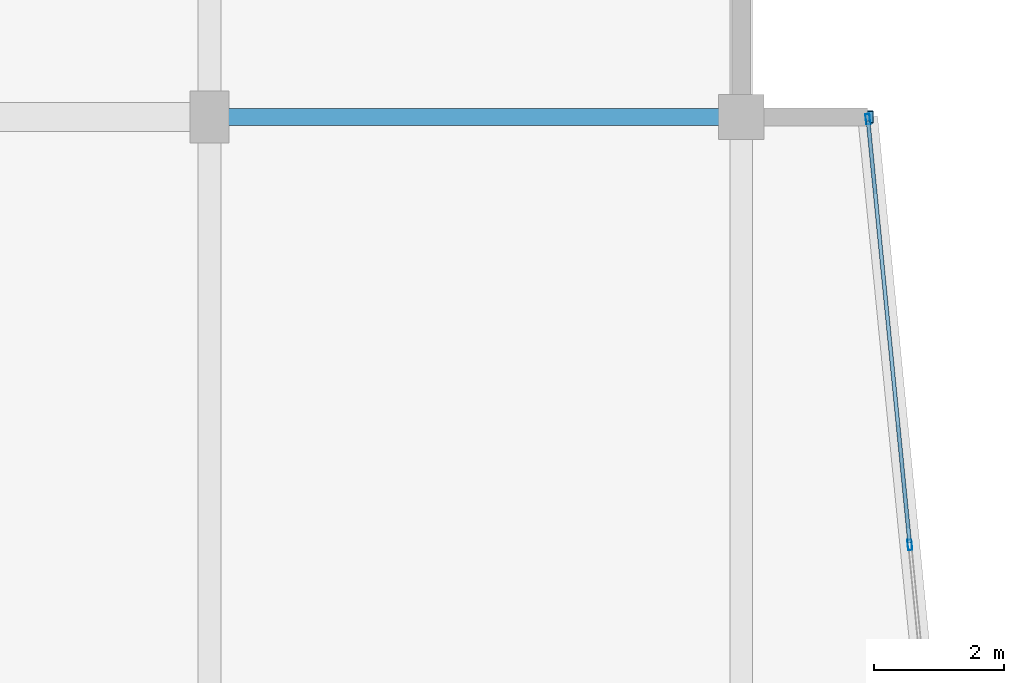
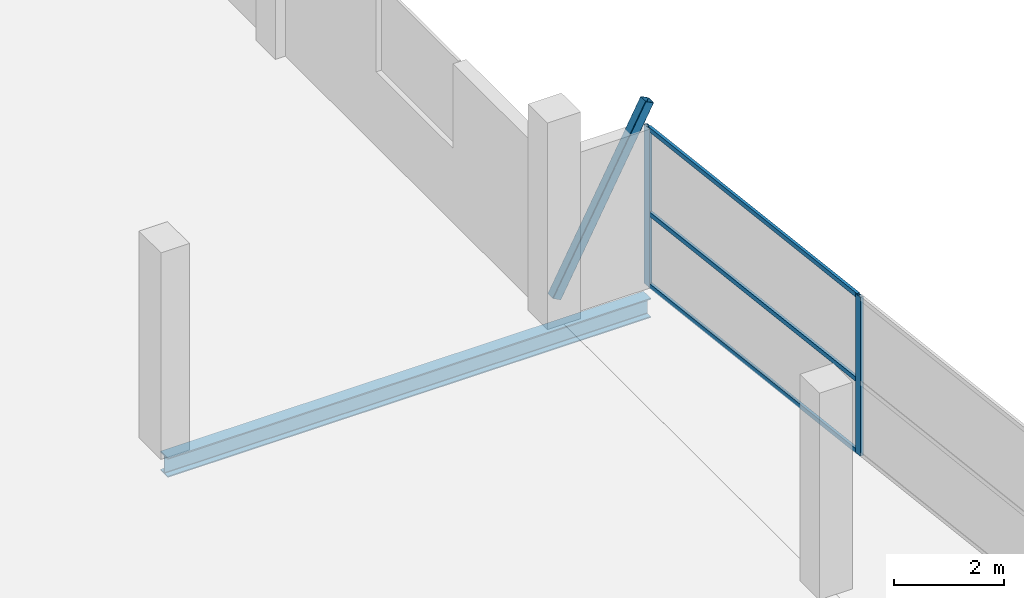
# One storey, part 29 of 55: 6 members, 1 beam, 1 element without a shape of its own.
"""IFC4 building model written with IfcOpenShell, lengths in metres."""

import ifcopenshell
import ifcopenshell.guid

model = None  # the IFC model being written
_history = None  # IfcOwnerHistory: only IFC2X3 demands one
_inside = {}  # id of a spatial element -> (the spatial element, [elements in it])
_under = {}  # id of a project, library or spatial element -> (it, [spatial elements below it])
_declared = {}  # id of a project -> (the project, [libraries it declares])
_typed = {}  # id of a type object -> (the type object, [elements of that type])
_made_of = {}  # id of a material, layer set ... -> (it, [elements and type objects made of it])


def new_model(schema):
    """Start an empty IFC model of exactly this schema.

    Asked for "IFC4X3", IfcOpenShell would pick the latest addendum, in which some entities
    have other attributes; the version numbers below select the first issue.
    IFC2X3 requires an IfcOwnerHistory on every rooted entity: one is made here for all.
    """
    global model, _history
    if schema == "IFC4X3":
        model = ifcopenshell.file(schema_version=(4, 3, 0, 0))
    else:
        model = ifcopenshell.file(schema=schema)
    _inside.clear()
    _under.clear()
    _declared.clear()
    _typed.clear()
    _made_of.clear()
    _history = None
    if model.schema == "IFC2X3":
        org = make("IfcOrganization", Name="unknown")
        user = make(
            "IfcPersonAndOrganization",
            ThePerson=make("IfcPerson", FamilyName="unknown"),
            TheOrganization=org,
        )
        app = make(
            "IfcApplication",
            ApplicationDeveloper=org,
            Version="unknown",
            ApplicationFullName="unknown",
            ApplicationIdentifier="unknown",
        )
        _history = make(
            "IfcOwnerHistory",
            OwningUser=user,
            OwningApplication=app,
            ChangeAction="ADDED",
            CreationDate=0,
        )
    return model


def make(cls, **values):
    """One entity of the class cls with the attributes given. An attribute that is None is left unset."""
    return model.create_entity(
        cls, **{name: value for name, value in values.items() if value is not None}
    )


def rooted(cls, **values):
    """An entity with a GlobalId (a new one), such as an element, a storey or a relation."""
    return make(cls, GlobalId=ifcopenshell.guid.new(), OwnerHistory=_history, **values)


def si_unit(unit_type, name, prefix=None):
    """IfcSIUnit, for example si_unit("LENGTHUNIT", "METRE", prefix="MILLI")."""
    return make("IfcSIUnit", UnitType=unit_type, Prefix=prefix, Name=name)


def assignment(units):
    """IfcUnitAssignment: the units of a project."""
    return None if units is None else make("IfcUnitAssignment", Units=units)


def point(xyz):
    """IfcCartesianPoint."""
    return None if xyz is None else make("IfcCartesianPoint", Coordinates=xyz)


def direction(xyz):
    """IfcDirection."""
    return None if xyz is None else make("IfcDirection", DirectionRatios=xyz)


def frame(location, z_axis=None, x_axis=None):
    """IfcAxis2Placement3D, a coordinate frame: its origin and axes. An axis left out is left unset."""
    return make(
        "IfcAxis2Placement3D",
        Location=point(location),
        Axis=direction(z_axis),
        RefDirection=direction(x_axis),
    )


def frame_2d(location, x_axis=None):
    """IfcAxis2Placement2D, a coordinate frame in the plane: its origin and x axis."""
    return make(
        "IfcAxis2Placement2D", Location=point(location), RefDirection=direction(x_axis)
    )


def origin():
    """The frame at (0, 0, 0) with its axes left unset."""
    return frame((0.0, 0.0, 0.0))


def origin_2d():
    """The frame at (0, 0) in the plane with its x axis left unset."""
    return frame_2d((0.0, 0.0))


def place(relative_to, where):
    """IfcLocalPlacement: puts the frame where relative to a parent placement (None: the world)."""
    return make(
        "IfcLocalPlacement", PlacementRelTo=relative_to, RelativePlacement=where
    )


def context(
    kind, dimensions, precision=None, world=None, true_north=None, identifier=None
):
    """IfcGeometricRepresentationContext, for example the 3D "Model" context."""
    return make(
        "IfcGeometricRepresentationContext",
        ContextIdentifier=identifier,
        ContextType=kind,
        CoordinateSpaceDimension=dimensions,
        Precision=precision,
        WorldCoordinateSystem=world,
        TrueNorth=true_north,
    )


def subcontext(parent, identifier, kind, view, scale=None):
    """IfcGeometricRepresentationSubContext, for example "Body" below "Model"."""
    return make(
        "IfcGeometricRepresentationSubContext",
        ContextIdentifier=identifier,
        ContextType=kind,
        ParentContext=parent,
        TargetScale=scale,
        TargetView=view,
    )


def project(units=None, contexts=None):
    """IfcProject with its units and contexts."""
    return rooted(
        "IfcProject",
        Name="project",
        RepresentationContexts=contexts,
        UnitsInContext=assignment(units),
    )


def spatial(cls, under=None, at=None, **own):
    """A site, building, storey or space (cls), placed at a placement, below another one or the project."""
    s = rooted(cls, ObjectPlacement=at, **own)
    if under is not None:
        _under.setdefault(under.id(), (under, []))[1].append(s)
    return s


def profile(cls, at=None, kind="AREA", **sizes):
    """A parametric profile (cls). Its sizes go by their IFC names, for example OverallWidth=200.0."""
    return make(cls, ProfileType=kind, Position=at, **sizes)


def hollow_rectangle(**sizes):
    """IfcRectangleHollowProfileDef."""
    return profile("IfcRectangleHollowProfileDef", **sizes)


def i_section(**sizes):
    """IfcIShapeProfileDef."""
    return profile("IfcIShapeProfileDef", **sizes)


def extrude(swept, where, along, depth):
    """IfcExtrudedAreaSolid: the profile swept, set in the frame where, extruded along a direction by depth."""
    return make(
        "IfcExtrudedAreaSolid",
        SweptArea=swept,
        Position=where,
        ExtrudedDirection=direction(along),
        Depth=depth,
    )


def shape(context_of_items, identifier, shape_type, items):
    """IfcShapeRepresentation: the items that make up one representation, for example the "Body"."""
    return make(
        "IfcShapeRepresentation",
        ContextOfItems=context_of_items,
        RepresentationIdentifier=identifier,
        RepresentationType=shape_type,
        Items=items,
    )


def material(Name=None, Category=None):
    """IfcMaterial."""
    return make("IfcMaterial", Name=Name, Category=Category)


def layer(
    of_material, thickness, ventilated=None, Name=None, Category=None, Priority=None
):
    """IfcMaterialLayer: one layer of a wall or slab, of a material (None: an air gap)."""
    return make(
        "IfcMaterialLayer",
        Material=of_material,
        LayerThickness=thickness,
        IsVentilated=ventilated,
        Name=Name,
        Category=Category,
        Priority=Priority,
    )


def layer_set(layers, Name=None):
    """IfcMaterialLayerSet."""
    return make("IfcMaterialLayerSet", MaterialLayers=layers, LayerSetName=Name)


def material_profile(
    of_material, cross_section, Name=None, Category=None, Priority=None
):
    """IfcMaterialProfile: a cross section and its material."""
    return make(
        "IfcMaterialProfile",
        Name=Name,
        Material=of_material,
        Profile=cross_section,
        Priority=Priority,
        Category=Category,
    )


def profile_set(profiles, Name=None, composite=None):
    """IfcMaterialProfileSet."""
    return make(
        "IfcMaterialProfileSet",
        Name=Name,
        MaterialProfiles=profiles,
        CompositeProfile=composite,
    )


def made_of(thing, what):
    """Note that an element or type object is made of a material, layer set ...; save() writes the relation."""
    if what is not None:
        _made_of.setdefault(what.id(), (what, []))[1].append(thing)
    return thing


def type_object(cls, material=None, **own):
    """A type object (cls), such as IfcWallType, which elements share."""
    return made_of(rooted(cls, **own), material)


def element(
    cls,
    number,
    at=None,
    inside=None,
    cuts=None,
    type_object=None,
    material=None,
    context=None,
    identifier="Body",
    shape_type=None,
    held_by="IfcProductDefinitionShape",
    body=None,
    shapes=None,
    **own,
):
    """One element of the class cls, such as IfcWall. Its Tag is "e" and its number.

    at: its placement. inside: the storey or other place that contains it. cuts: it is an
    opening in that element (IfcRelVoidsElement). A single representation is given by context,
    identifier, shape_type and body (its items); several are given by shapes. held_by: the class
    of the entity that holds the representations. save() writes the other relations.
    """
    e = rooted(cls, Tag="e%d" % number, ObjectPlacement=at, **own)
    if body is not None:
        shapes = [shape(context, identifier, shape_type, body)]
    if shapes is not None:
        e.Representation = make(held_by, Representations=shapes)
    if inside is not None:
        _inside.setdefault(inside.id(), (inside, []))[1].append(e)
    if cuts is not None:
        rooted(
            "IfcRelVoidsElement", RelatingBuildingElement=cuts, RelatedOpeningElement=e
        )
    if type_object is not None:
        _typed.setdefault(type_object.id(), (type_object, []))[1].append(e)
    return made_of(e, material)


def aggregate(whole, parts):
    """IfcRelAggregates: a whole, such as a stair, and the parts it consists of."""
    return rooted("IfcRelAggregates", RelatingObject=whole, RelatedObjects=parts)


def save(model, path):
    """Write the relations noted so far, then the file.

    IfcRelAggregates (storeys below a building ...), IfcRelContainedInSpatialStructure (elements
    in a storey), IfcRelDefinesByType, IfcRelAssociatesMaterial and IfcRelDeclares: one each for
    every whole, place, type object, material and project.
    """
    for whole, parts in _under.values():
        aggregate(whole, parts)
    for where, things in _inside.values():
        rooted(
            "IfcRelContainedInSpatialStructure",
            RelatedElements=things,
            RelatingStructure=where,
        )
    for kind, things in _typed.values():
        rooted("IfcRelDefinesByType", RelatedObjects=things, RelatingType=kind)
    for what, things in _made_of.values():
        rooted("IfcRelAssociatesMaterial", RelatedObjects=things, RelatingMaterial=what)
    for by, libraries in _declared.values():
        rooted("IfcRelDeclares", RelatingContext=by, RelatedDefinitions=libraries)
    model.write(path)


model = new_model("IFC4")

# Units and contexts
model_context = context("Model", 3, precision=1e-05, world=origin(), true_north=direction((0.0, 1.0)))
body_context = subcontext(model_context, "Body", "Model", "MODEL_VIEW")
ifc_project = project(units=[si_unit("LENGTHUNIT", "METRE"), si_unit("AREAUNIT", "SQUARE_METRE"), si_unit("VOLUMEUNIT", "CUBIC_METRE"), si_unit("PLANEANGLEUNIT", "RADIAN"), si_unit("MASSUNIT", "GRAM", prefix="KILO")], contexts=[model_context])

# Site, building, storey
site_placement = place(None, origin())
site = spatial("IfcSite", under=ifc_project, at=site_placement, CompositionType="ELEMENT")
building_placement = place(site_placement, origin())
building = spatial("IfcBuilding", under=site, at=building_placement, Name="Sillaruma Civic Art Gallery", CompositionType="ELEMENT")
storey_placement = place(building_placement, frame((0.0, 0.0, 37.739990234375)))
storey = spatial("IfcBuildingStorey", under=building, at=storey_placement, Name="L07", CompositionType="ELEMENT", Elevation=37.739990234375)

# Beam
ifc_material_1 = material(Name="Structural Steel ASTM A992 Gr.50", Category="steel")
ifc_material_profile_1 = material_profile(ifc_material_1, i_section(OverallWidth=0.264892578125, OverallDepth=0.430908203125, WebThickness=0.014892578125, FlangeThickness=0.02490234375, FilletRadius=0.012939453125, at=origin_2d()), Name="W410x149")
ifc_profile_set_1 = profile_set([ifc_material_profile_1], Name="Structural Steel ASTM A992 Gr.50")
beam_type = type_object("IfcBeamType", Name="BM-PROW-W410x149", PredefinedType="BEAM", material=ifc_profile_set_1)
beam_placement = place(storey_placement, frame((106.199951171875, 79.199951171875, -0.45556640625), z_axis=(1.0, 0.0, 0.0), x_axis=(0.0, 1.0, 0.0)))
element("IfcBeam", 1, at=beam_placement, inside=storey, type_object=beam_type, Name="Back-Spanned Prow Beam (PRW-L07-E-FLR-N)", PredefinedType="BEAM", context=body_context, shape_type="SweptSolid", body=[
    extrude(i_section(OverallWidth=0.264892578125, OverallDepth=0.430908203125, WebThickness=0.014892578125, FlangeThickness=0.02490234375, FilletRadius=0.012939453125, at=origin_2d()), origin(), (0.0, 0.0, 1.0), 10.150146484375),
])

# Curtain wall, members
ifc_material_2 = material(Name="Thermally Broken Extruded Aluminium 6063-T6", Category="aluminium")
ifc_layer = layer(ifc_material_2, 0.159912109375, Name="Thermally Broken Extruded Aluminium 6063-T6")
ifc_layer_set = layer_set([ifc_layer], Name="Thermally Broken Extruded Aluminium 6063-T6")
curtain_wall_type = type_object("IfcCurtainWallType", Name="CW-UNI-49", PredefinedType="NOTDEFINED", material=ifc_layer_set)
curtain_wall_placement = place(storey_placement, origin())
curtain_wall = element("IfcCurtainWall", 2, at=curtain_wall_placement, inside=storey, type_object=curtain_wall_type, Name="Unitised Curtain Wall CW-49 (CW-PRW-L07-E-ANG)", PredefinedType="NOTDEFINED")
ifc_material_profile_2 = material_profile(ifc_material_2, hollow_rectangle(XDim=0.06494140625, YDim=0.159912109375, WallThickness=0.00390625, at=origin_2d()), Name="CWM65x160")
ifc_profile_set_2 = profile_set([ifc_material_profile_2], Name="Thermally Broken Extruded Aluminium 6063-T6")
member_type_1 = type_object("IfcMemberType", Name="MEM-MUL-CWM65x160", PredefinedType="MULLION", material=ifc_profile_set_2)
member_1_placement = place(storey_placement, frame((117.0, 72.60009765625, 0.0), z_axis=(0.0, 0.0, 1.0), x_axis=(-0.99518536297, -0.098010679679, 0.0)))
member_1 = element("IfcMember", 3, at=member_1_placement, type_object=member_type_1, Name="CW-49 mullion 3", PredefinedType="MULLION", context=body_context, shape_type="SweptSolid", body=[
    extrude(hollow_rectangle(XDim=0.06494140625, YDim=0.159912109375, WallThickness=0.00390625, at=origin_2d()), origin(), (0.0, 0.0, 1.0), 3.530029296875),
])
member_2_placement = place(storey_placement, frame((116.353271484375, 79.167724609375, 0.0), z_axis=(0.0, 0.0, 1.0), x_axis=(-0.99518536297, -0.098010679679, 0.0)))
member_2 = element("IfcMember", 4, at=member_2_placement, type_object=member_type_1, Name="CW-49 mullion 4", PredefinedType="MULLION", context=body_context, shape_type="SweptSolid", body=[
    extrude(hollow_rectangle(XDim=0.06494140625, YDim=0.159912109375, WallThickness=0.00390625, at=origin_2d()), origin(), (0.0, 0.0, 1.0), 3.530029296875),
])

# Member
ifc_material_3 = material(Name="Structural Steel ASTM A500 Gr.C", Category="steel")
ifc_material_profile_3 = material_profile(ifc_material_3, hollow_rectangle(XDim=0.199951171875, YDim=0.199951171875, WallThickness=0.010009765625, InnerFilletRadius=0.010009765625, OuterFilletRadius=0.02001953125, at=origin_2d()), Name="HSS200x200x10")
ifc_profile_set_3 = profile_set([ifc_material_profile_3], Name="Structural Steel ASTM A500 Gr.C")
member_type_2 = type_object("IfcMemberType", Name="MEM-PROW-BRACE", PredefinedType="BRACE", material=ifc_profile_set_3)
member_3_placement = place(storey_placement, frame((114.39990234375, 79.199951171875, 0.39990234375), z_axis=(0.466810674243, 0.0, 0.884357277582), x_axis=(0.0, 1.0, 0.0)))
element("IfcMember", 5, at=member_3_placement, inside=storey, type_object=member_type_2, Name="Deconstructivist Prow Diagonal Brace (PRW-L07-E-ROF-N)", PredefinedType="BRACE", context=body_context, shape_type="SweptSolid", body=[
    extrude(hollow_rectangle(XDim=0.199951171875, YDim=0.199951171875, WallThickness=0.010009765625, InnerFilletRadius=0.010009765625, OuterFilletRadius=0.02001953125, at=origin_2d()), origin(), (0.0, 0.0, 1.0), 4.177734375),
])

ifc_material_profile_4 = material_profile(ifc_material_2, hollow_rectangle(XDim=0.06005859375, YDim=0.10009765625, WallThickness=0.003173828125, at=origin_2d()), Name="CWT60x100")
ifc_profile_set_4 = profile_set([ifc_material_profile_4], Name="Thermally Broken Extruded Aluminium 6063-T6")
member_type_3 = type_object("IfcMemberType", Name="MEM-TRN-CWT60x100", PredefinedType="USERDEFINED", material=ifc_profile_set_4)
member_4_placement = place(storey_placement, frame((116.996826171875, 72.63232421875, 0.030029296875), z_axis=(-0.098001709126, 0.995186246392, 0.0), x_axis=(-0.995186246392, -0.098001709126, 0.0)))
member_4 = element("IfcMember", 6, at=member_4_placement, type_object=member_type_3, Name="CW-49 transom 3.1", ObjectType="TRANSOM", PredefinedType="USERDEFINED", context=body_context, shape_type="SweptSolid", body=[
    extrude(hollow_rectangle(XDim=0.06005859375, YDim=0.10009765625, WallThickness=0.003173828125, at=origin_2d()), origin(), (0.0, 0.0, 1.0), 6.534423828125),
])

member_5_placement = place(storey_placement, frame((116.996826171875, 72.63232421875, 1.623779296875), z_axis=(-0.098001709126, 0.995186246392, 0.0), x_axis=(-0.995186246392, -0.098001709126, 0.0)))
member_5 = element("IfcMember", 7, at=member_5_placement, type_object=member_type_3, Name="CW-49 transom 3.2", ObjectType="TRANSOM", PredefinedType="USERDEFINED", context=body_context, shape_type="SweptSolid", body=[
    extrude(hollow_rectangle(XDim=0.06005859375, YDim=0.10009765625, WallThickness=0.003173828125, at=origin_2d()), origin(), (0.0, 0.0, 1.0), 6.534423828125),
])

member_6_placement = place(storey_placement, frame((116.996826171875, 72.63232421875, 3.5), z_axis=(-0.098001709126, 0.995186246392, 0.0), x_axis=(-0.995186246392, -0.098001709126, 0.0)))
member_6 = element("IfcMember", 8, at=member_6_placement, type_object=member_type_3, Name="CW-49 transom 3.3", ObjectType="TRANSOM", PredefinedType="USERDEFINED", context=body_context, shape_type="SweptSolid", body=[
    extrude(hollow_rectangle(XDim=0.06005859375, YDim=0.10009765625, WallThickness=0.003173828125, at=origin_2d()), origin(), (0.0, 0.0, 1.0), 6.534423828125),
])

aggregate(curtain_wall, [member_1, member_2, member_4, member_5, member_6])

save(model, "model.ifc")
